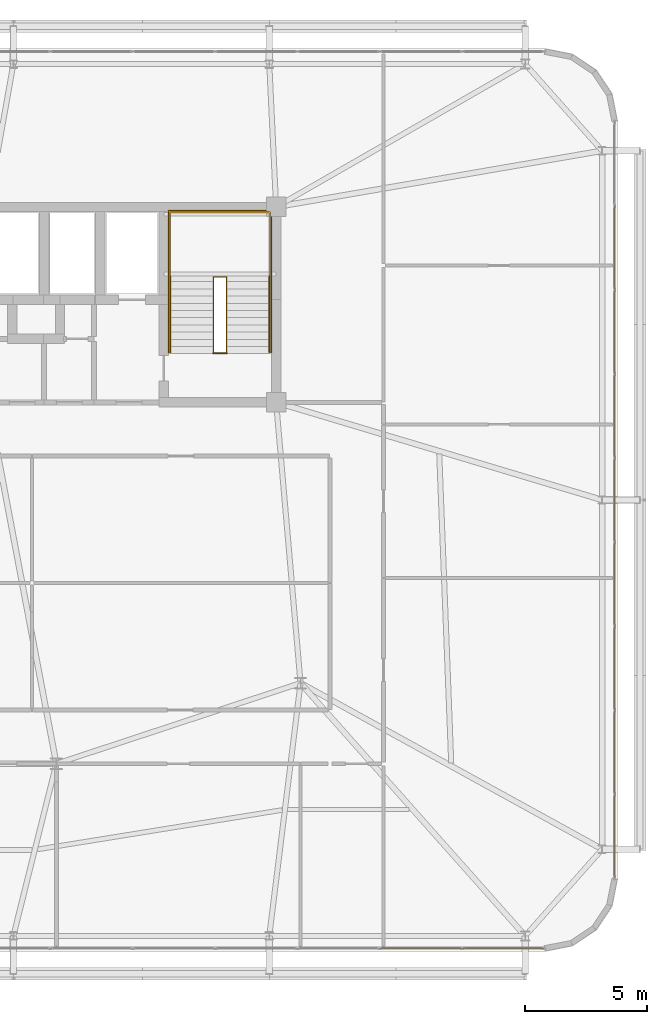
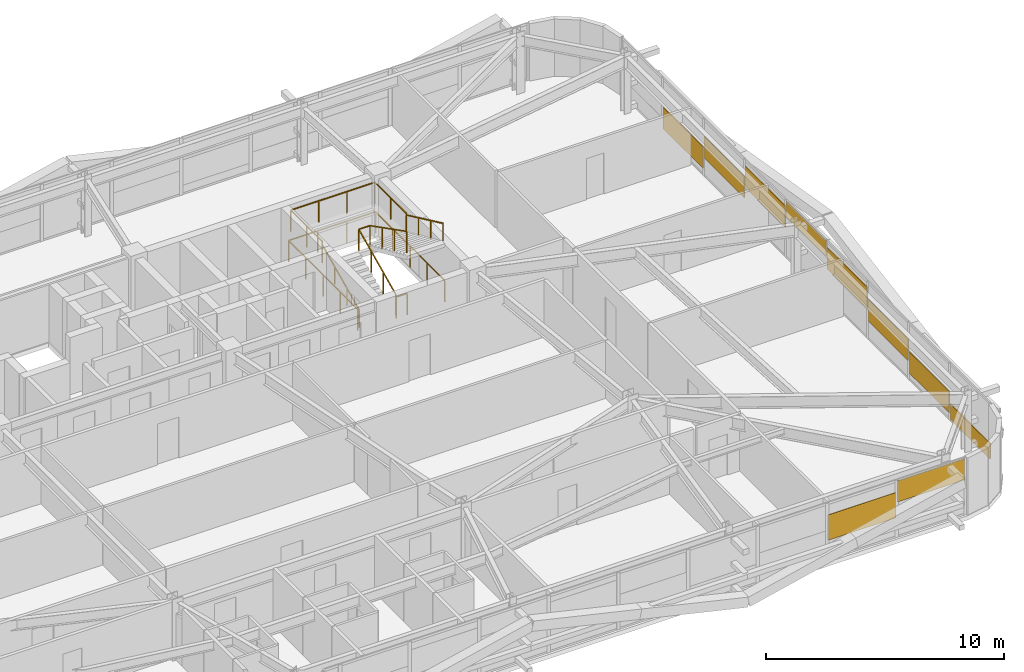
# One storey, part 58 of 59: 10 coverings, 6 railings.
"""IFC4 building model written with IfcOpenShell, lengths in metres."""

from ifc_helpers import new_model, si_unit, direction, frame, origin, origin_2d, place, context, subcontext, project, spatial, rectangle, extrude, source, transform, mapped, material, layer, layer_set, type_object, element, save


model = new_model("IFC4")

# Units and contexts
model_context = context("Model", 3, precision=1e-05, world=origin(), true_north=direction((0.0, 1.0)))
body_context = subcontext(model_context, "Body", "Model", "MODEL_VIEW")
ifc_project = project(units=[si_unit("LENGTHUNIT", "METRE"), si_unit("AREAUNIT", "SQUARE_METRE"), si_unit("VOLUMEUNIT", "CUBIC_METRE"), si_unit("PLANEANGLEUNIT", "RADIAN"), si_unit("MASSUNIT", "GRAM", prefix="KILO")], contexts=[model_context])

# Site, building, storey
site_placement = place(None, origin())
site = spatial("IfcSite", under=ifc_project, at=site_placement, CompositionType="ELEMENT")
building_placement = place(site_placement, origin())
building = spatial("IfcBuilding", under=site, at=building_placement, Name="Taldren Reach Tower", CompositionType="ELEMENT")
storey_placement = place(building_placement, frame((0.0, 0.0, 48.300048828125)))
storey = spatial("IfcBuildingStorey", under=building, at=storey_placement, Name="L14", CompositionType="ELEMENT", Elevation=48.300048828125)

# Railings
ifc_material_1 = material(Name="Steel Gr 350 (C350L0)", Category="steel")
ifc_layer_1 = layer(ifc_material_1, 0.050048828125)
ifc_layer_set_1 = layer_set([ifc_layer_1], Name="Steel Gr 350 (C350L0)")
railing_type_1 = type_object("IfcRailingType", Name="RL-STAIR-GR", PredefinedType="GUARDRAIL", material=ifc_layer_set_1)
railing_1_placement = place(storey_placement, frame((46.659912109375, 29.135009765625, 1.574951171875)))
element("IfcRailing", 1, at=railing_1_placement, inside=storey, type_object=railing_type_1, Name="Stair half-landing perimeter guard ST2-L14", PredefinedType="GUARDRAIL", context=body_context, shape_type="SweptSolid", body=[
    extrude(rectangle(XDim=0.047852, YDim=0.047852, at=origin_2d()), frame((0.0, 0.0, 1.09619140625), z_axis=(0.0, 1.0, 0.0), x_axis=(-1.0, 0.0, 0.0)), (0.0, 0.0, 1.0), 2.64501953125),
    extrude(rectangle(XDim=0.047852, YDim=0.047852, at=origin_2d()), frame((0.0, 2.64501953125, 1.09619140625), z_axis=(1.0, 0.0, 0.0), x_axis=(0.0, 1.0, 0.0)), (0.0, 0.0, 1.0), 4.080078125),
    extrude(rectangle(XDim=0.047852, YDim=0.047852, at=origin_2d()), frame((4.080078125, 2.64501953125, 1.09619140625), z_axis=(0.0, -1.0, 0.0), x_axis=(1.0, 0.0, 0.0)), (0.0, 0.0, 1.0), 2.64501953125),
    extrude(rectangle(XDim=0.041992, YDim=0.041992, at=origin_2d()), origin(), (0.0, 0.0, 1.0), 1.072021484375),
    extrude(rectangle(XDim=0.041992, YDim=0.041992, at=origin_2d()), frame((0.0, 1.322509765625, 0.0)), (0.0, 0.0, 1.0), 1.072021484375),
    extrude(rectangle(XDim=0.041992, YDim=0.041992, at=origin_2d()), frame((0.0, 2.64501953125, 0.0)), (0.0, 0.0, 1.0), 1.072021484375),
    extrude(rectangle(XDim=0.041992, YDim=0.041992, at=origin_2d()), frame((1.360107421875, 2.64501953125, 0.0)), (0.0, 0.0, 1.0), 1.072021484375),
    extrude(rectangle(XDim=0.041992, YDim=0.041992, at=origin_2d()), frame((2.719970703125, 2.64501953125, 0.0)), (0.0, 0.0, 1.0), 1.072021484375),
    extrude(rectangle(XDim=0.041992, YDim=0.041992, at=origin_2d()), frame((4.080078125, 2.64501953125, 0.0)), (0.0, 0.0, 1.0), 1.072021484375),
    extrude(rectangle(XDim=0.041992, YDim=0.041992, at=origin_2d()), frame((4.080078125, 1.322509765625, 0.0)), (0.0, 0.0, 1.0), 1.072021484375),
    extrude(rectangle(XDim=0.041992, YDim=0.041992, at=origin_2d()), frame((4.080078125, 0.0, 0.0)), (0.0, 0.0, 1.0), 1.072021484375),
])
railing_2_placement = place(storey_placement, frame((48.429931640625, 26.050048828125, 0.131103515625)))
element("IfcRailing", 2, at=railing_2_placement, inside=storey, type_object=railing_type_1, Name="Stairwell inner guard ST2-L14", PredefinedType="GUARDRAIL", context=body_context, shape_type="SweptSolid", body=[
    extrude(rectangle(XDim=0.047852, YDim=0.047852, at=origin_2d()), frame((0.0, 0.0, 1.09619140625), z_axis=(0.0, 0.905710134349, 0.423897573167), x_axis=(-1.0, 0.0, 0.0)), (0.0, 0.0, 1.0), 3.406005859375),
    extrude(rectangle(XDim=0.047852, YDim=0.047852, at=origin_2d()), frame((0.0, 3.0849609375, 2.5400390625), z_axis=(1.0, 0.0, 0.0), x_axis=(0.0, 1.0, 0.0)), (0.0, 0.0, 1.0), 0.5400390625),
    extrude(rectangle(XDim=0.047852, YDim=0.047852, at=origin_2d()), frame((0.5400390625, 3.0849609375, 2.5400390625), z_axis=(0.0, -0.890645957773, 0.45469745755), x_axis=(1.0, 0.0, 0.0)), (0.0, 0.0, 1.0), 3.463623046875),
    extrude(rectangle(XDim=0.041992, YDim=0.041992, at=origin_2d()), origin(), (0.0, 0.0, 1.0), 1.072021484375),
    extrude(rectangle(XDim=0.041992, YDim=0.041992, at=origin_2d()), frame((0.0, 1.0283203125, 0.481201171875)), (0.0, 0.0, 1.0), 1.072021484375),
    extrude(rectangle(XDim=0.041992, YDim=0.041992, at=origin_2d()), frame((0.0, 2.056640625, 0.962646484375)), (0.0, 0.0, 1.0), 1.072021484375),
    extrude(rectangle(XDim=0.041992, YDim=0.041992, at=origin_2d()), frame((0.0, 3.0849609375, 1.44384765625)), (0.0, 0.0, 1.0), 1.072021484375),
    extrude(rectangle(XDim=0.041992, YDim=0.041992, at=origin_2d()), frame((0.5400390625, 3.0849609375, 1.44384765625)), (0.0, 0.0, 1.0), 1.072021484375),
    extrude(rectangle(XDim=0.041992, YDim=0.041992, at=origin_2d()), frame((0.5400390625, 2.056640625, 1.96875)), (0.0, 0.0, 1.0), 1.072021484375),
    extrude(rectangle(XDim=0.041992, YDim=0.041992, at=origin_2d()), frame((0.5400390625, 1.0283203125, 2.493896484375)), (0.0, 0.0, 1.0), 1.072021484375),
    extrude(rectangle(XDim=0.041992, YDim=0.041992, at=origin_2d()), frame((0.5400390625, 0.0, 3.018798828125)), (0.0, 0.0, 1.0), 1.072021484375),
])
railing_3_placement = place(storey_placement, frame((48.429931640625, 26.010009765625, 0.0)))
element("IfcRailing", 3, at=railing_3_placement, inside=storey, type_object=railing_type_1, Name="Stairwell landing slot guard ST2-L14", PredefinedType="GUARDRAIL", context=body_context, shape_type="SweptSolid", body=[
    extrude(rectangle(XDim=0.047852, YDim=0.047852, at=origin_2d()), frame((0.0, 0.0, 1.09619140625), z_axis=(1.0, 0.0, 0.0), x_axis=(0.0, 1.0, 0.0)), (0.0, 0.0, 1.0), 0.5400390625),
    extrude(rectangle(XDim=0.041992, YDim=0.041992, at=origin_2d()), origin(), (0.0, 0.0, 1.0), 1.072021484375),
    extrude(rectangle(XDim=0.041992, YDim=0.041992, at=origin_2d()), frame((0.5400390625, 0.0, 0.0)), (0.0, 0.0, 1.0), 1.072021484375),
])
railing_4_placement = place(storey_placement, frame((46.590087890625, 26.050048828125, 0.0)))
element("IfcRailing", 4, at=railing_4_placement, inside=storey, type_object=railing_type_1, Name="Stairwell floor opening guard ST2-L14", PredefinedType="GUARDRAIL", context=body_context, shape_type="SweptSolid", body=[
    extrude(rectangle(XDim=0.047852, YDim=0.047852, at=origin_2d()), frame((0.0, 0.0, 1.09619140625), z_axis=(0.0, 1.0, 0.0), x_axis=(-1.0, 0.0, 0.0)), (0.0, 0.0, 1.0), 5.800048828125),
    extrude(rectangle(XDim=0.047852, YDim=0.047852, at=origin_2d()), frame((0.0, 5.800048828125, 1.09619140625), z_axis=(1.0, 0.0, 0.0), x_axis=(0.0, 1.0, 0.0)), (0.0, 0.0, 1.0), 4.219970703125),
    extrude(rectangle(XDim=0.047852, YDim=0.047852, at=origin_2d()), frame((4.219970703125, 5.800048828125, 1.09619140625), z_axis=(0.0, -1.0, 0.0), x_axis=(1.0, 0.0, 0.0)), (0.0, 0.0, 1.0), 5.800048828125),
    extrude(rectangle(XDim=0.041992, YDim=0.041992, at=origin_2d()), origin(), (0.0, 0.0, 1.0), 1.072021484375),
    extrude(rectangle(XDim=0.041992, YDim=0.041992, at=origin_2d()), frame((0.0, 1.449951171875, 0.0)), (0.0, 0.0, 1.0), 1.072021484375),
    extrude(rectangle(XDim=0.041992, YDim=0.041992, at=origin_2d()), frame((0.0, 2.89990234375, 0.0)), (0.0, 0.0, 1.0), 1.072021484375),
    extrude(rectangle(XDim=0.041992, YDim=0.041992, at=origin_2d()), frame((0.0, 4.35009765625, 0.0)), (0.0, 0.0, 1.0), 1.072021484375),
    extrude(rectangle(XDim=0.041992, YDim=0.041992, at=origin_2d()), frame((0.0, 5.800048828125, 0.0)), (0.0, 0.0, 1.0), 1.072021484375),
    extrude(rectangle(XDim=0.041992, YDim=0.041992, at=origin_2d()), frame((1.40673828125, 5.800048828125, 0.0)), (0.0, 0.0, 1.0), 1.072021484375),
    extrude(rectangle(XDim=0.041992, YDim=0.041992, at=origin_2d()), frame((2.813232421875, 5.800048828125, 0.0)), (0.0, 0.0, 1.0), 1.072021484375),
    extrude(rectangle(XDim=0.041992, YDim=0.041992, at=origin_2d()), frame((4.219970703125, 5.800048828125, 0.0)), (0.0, 0.0, 1.0), 1.072021484375),
    extrude(rectangle(XDim=0.041992, YDim=0.041992, at=origin_2d()), frame((4.219970703125, 4.35009765625, 0.0)), (0.0, 0.0, 1.0), 1.072021484375),
    extrude(rectangle(XDim=0.041992, YDim=0.041992, at=origin_2d()), frame((4.219970703125, 2.89990234375, 0.0)), (0.0, 0.0, 1.0), 1.072021484375),
    extrude(rectangle(XDim=0.041992, YDim=0.041992, at=origin_2d()), frame((4.219970703125, 1.449951171875, 0.0)), (0.0, 0.0, 1.0), 1.072021484375),
    extrude(rectangle(XDim=0.041992, YDim=0.041992, at=origin_2d()), frame((4.219970703125, 0.0, 0.0)), (0.0, 0.0, 1.0), 1.072021484375),
])
ifc_material_2 = material(Name="Stainless Steel Gr 316", Category="steel")
ifc_layer_2 = layer(ifc_material_2, 0.048095703125)
ifc_layer_set_2 = layer_set([ifc_layer_2], Name="Stainless Steel Gr 316")
railing_type_2 = type_object("IfcRailingType", Name="RL-STAIR-HR", PredefinedType="HANDRAIL", material=ifc_layer_set_2)
railing_5_placement = place(storey_placement, frame((46.669921875, 26.050048828125, 0.131103515625)))
element("IfcRailing", 5, at=railing_5_placement, inside=storey, type_object=railing_type_2, Name="Stair flight handrail ST2-L14-1", PredefinedType="HANDRAIL", context=body_context, shape_type="SweptSolid", body=[
    extrude(rectangle(XDim=0.047852, YDim=0.047852, at=origin_2d()), frame((0.0, 0.0, 0.89599609375), z_axis=(0.0, 0.905710134349, 0.423897573167), x_axis=(-1.0, 0.0, 0.0)), (0.0, 0.0, 1.0), 3.406005859375),
    extrude(rectangle(XDim=0.041992, YDim=0.041992, at=origin_2d()), origin(), (0.0, 0.0, 1.0), 0.871826171875),
    extrude(rectangle(XDim=0.041992, YDim=0.041992, at=origin_2d()), frame((0.0, 1.0283203125, 0.481201171875)), (0.0, 0.0, 1.0), 0.871826171875),
    extrude(rectangle(XDim=0.041992, YDim=0.041992, at=origin_2d()), frame((0.0, 2.056640625, 0.962646484375)), (0.0, 0.0, 1.0), 0.871826171875),
    extrude(rectangle(XDim=0.041992, YDim=0.041992, at=origin_2d()), frame((0.0, 3.0849609375, 1.44384765625)), (0.0, 0.0, 1.0), 0.871826171875),
])
railing_6_placement = place(storey_placement, frame((50.72998046875, 29.135009765625, 1.706298828125)))
element("IfcRailing", 6, at=railing_6_placement, inside=storey, type_object=railing_type_2, Name="Stair flight handrail ST2-L14-2", PredefinedType="HANDRAIL", context=body_context, shape_type="SweptSolid", body=[
    extrude(rectangle(XDim=0.047852, YDim=0.047852, at=origin_2d()), frame((0.0, 0.0, 0.89599609375), z_axis=(0.0, -0.905737652094, 0.423838773095), x_axis=(1.0, 0.0, 0.0)), (0.0, 0.0, 1.0), 3.406005859375),
    extrude(rectangle(XDim=0.041992, YDim=0.041992, at=origin_2d()), origin(), (0.0, 0.0, 1.0), 0.871826171875),
    extrude(rectangle(XDim=0.041992, YDim=0.041992, at=origin_2d()), frame((0.0, -1.0283203125, 0.481201171875)), (0.0, 0.0, 1.0), 0.871826171875),
    extrude(rectangle(XDim=0.041992, YDim=0.041992, at=origin_2d()), frame((0.0, -2.056640625, 0.96240234375)), (0.0, 0.0, 1.0), 0.871826171875),
    extrude(rectangle(XDim=0.041992, YDim=0.041992, at=origin_2d()), frame((0.0, -3.0849609375, 1.443603515625)), (0.0, 0.0, 1.0), 0.871826171875),
])

# Coverings
ifc_material_3 = material(Name="Pale Champagne Fluoropolymer Aluminium Spandrel Cladding", Category="aluminium")
ifc_layer_3 = layer(ifc_material_3, 0.0439453125)
ifc_layer_set_3 = layer_set([ifc_layer_3], Name="Pale Champagne Fluoropolymer Aluminium Spandrel Cladding")
covering_type = type_object("IfcCoveringType", Name="CV-CLAD-044", PredefinedType="CLADDING", material=ifc_layer_set_3)
shared_shape_1 = source(origin(), body_context, "Body", "SweptSolid", [
    extrude(rectangle(XDim=3.277587890625, YDim=0.0439453125, at=origin_2d()), origin(), (0.0, 0.0, 1.0), 1.081298828125),
])
covering_1_placement = place(storey_placement, frame((60.296142578125, 1.639892578125, 1.79345703125), z_axis=(0.0, 0.0, 1.0), x_axis=(1.0, 0.0, 0.0)))
element("IfcCovering", 7, at=covering_1_placement, inside=storey, type_object=covering_type, Name="Diagrid closure cladding strip CW-2 panel 16.1 1", PredefinedType="CLADDING", context=body_context, shape_type="MappedRepresentation", body=[
    mapped(shared_shape_1, transform((0.0, 0.0, 0.0), scale=1.0)),
])
shared_shape_2 = source(origin(), body_context, "Body", "SweptSolid", [
    extrude(rectangle(XDim=3.31005859375, YDim=0.0439453125, at=origin_2d()), origin(), (0.0, 0.0, 1.0), 1.301025390625),
])
covering_2_placement = place(storey_placement, frame((56.9375, 1.639892578125, 1.01123046875), z_axis=(0.0, 0.0, 1.0), x_axis=(1.0, 0.0, 0.0)))
element("IfcCovering", 8, at=covering_2_placement, inside=storey, type_object=covering_type, Name="Diagrid closure cladding strip CW-2 panel 15.1 1", PredefinedType="CLADDING", context=body_context, shape_type="MappedRepresentation", body=[
    mapped(shared_shape_2, transform((0.0, 0.0, 0.0), scale=1.0)),
])
shared_shape_3 = source(origin(), body_context, "Body", "SweptSolid", [
    extrude(rectangle(XDim=3.37939453125, YDim=0.0439453125, at=origin_2d()), origin(), (0.0, 0.0, 1.0), 1.1015625),
])
for number, where, z_axis, x_axis, name in (
    (9, (64.860107421875, 9.666748046875, 0.34326171875), (0.0, 0.0, 1.0), (0.0, 1.0, 0.0), "Diagrid closure cladding strip CW-2 panel 2.1 1"),
    (10, (64.860107421875, 13.111083984375, 0.928466796875), (0.0, 0.0, 1.0), (0.0, 1.0, 0.0), "Diagrid closure cladding strip CW-2 panel 3.1 1"),
    (11, (64.860107421875, 16.5556640625, 1.513916015625), (0.0, 0.0, 1.0), (0.0, 1.0, 0.0), "Diagrid closure cladding strip CW-2 panel 4.1 1"),
    (12, (64.860107421875, 23.4443359375, 1.513916015625), (0.0, 0.0, 1.0), (0.0, 1.0, 0.0), "Diagrid closure cladding strip CW-2 panel 6.1 1"),
    (13, (64.860107421875, 26.888916015625, 0.928466796875), (0.0, 0.0, 1.0), (0.0, 1.0, 0.0), "Diagrid closure cladding strip CW-2 panel 7.1 1"),
    (14, (64.860107421875, 30.333251953125, 0.34326171875), (0.0, 0.0, 1.0), (0.0, 1.0, 0.0), "Diagrid closure cladding strip CW-2 panel 8.1 1"),
):
    element("IfcCovering", number, at=place(storey_placement, frame(where, z_axis=z_axis, x_axis=x_axis)), inside=storey, type_object=covering_type, Name=name, PredefinedType="CLADDING", context=body_context, shape_type="MappedRepresentation", body=[
        mapped(shared_shape_3, transform((0.0, 0.0, 0.0), scale=1.0)),
    ])
shared_shape_4 = source(origin(), body_context, "Body", "SweptSolid", [
    extrude(rectangle(XDim=3.346923828125, YDim=0.0439453125, at=origin_2d()), origin(), (0.0, 0.0, 1.0), 0.804443359375),
])
covering_3_placement = place(storey_placement, frame((64.860107421875, 6.238525390625, 0.05517578125), z_axis=(0.0, 0.0, 1.0), x_axis=(0.0, 1.0, 0.0)))
element("IfcCovering", 15, at=covering_3_placement, inside=storey, type_object=covering_type, Name="Diagrid closure cladding strip CW-2 panel 1.1 1", PredefinedType="CLADDING", context=body_context, shape_type="MappedRepresentation", body=[
    mapped(shared_shape_4, transform((0.0, 0.0, 0.0), scale=1.0)),
])
shared_shape_5 = source(origin(), body_context, "Body", "SweptSolid", [
    extrude(rectangle(XDim=3.37939453125, YDim=0.0439453125, at=origin_2d()), origin(), (0.0, 0.0, 1.0), 0.77587890625),
])
covering_4_placement = place(storey_placement, frame((64.860107421875, 20.0, 2.09912109375), z_axis=(0.0, 0.0, 1.0), x_axis=(0.0, 1.0, 0.0)))
element("IfcCovering", 16, at=covering_4_placement, inside=storey, type_object=covering_type, Name="Diagrid closure cladding strip CW-2 panel 5.1 1", PredefinedType="CLADDING", context=body_context, shape_type="MappedRepresentation", body=[
    mapped(shared_shape_5, transform((0.0, 0.0, 0.0), scale=1.0)),
])

save(model, "model.ifc")
